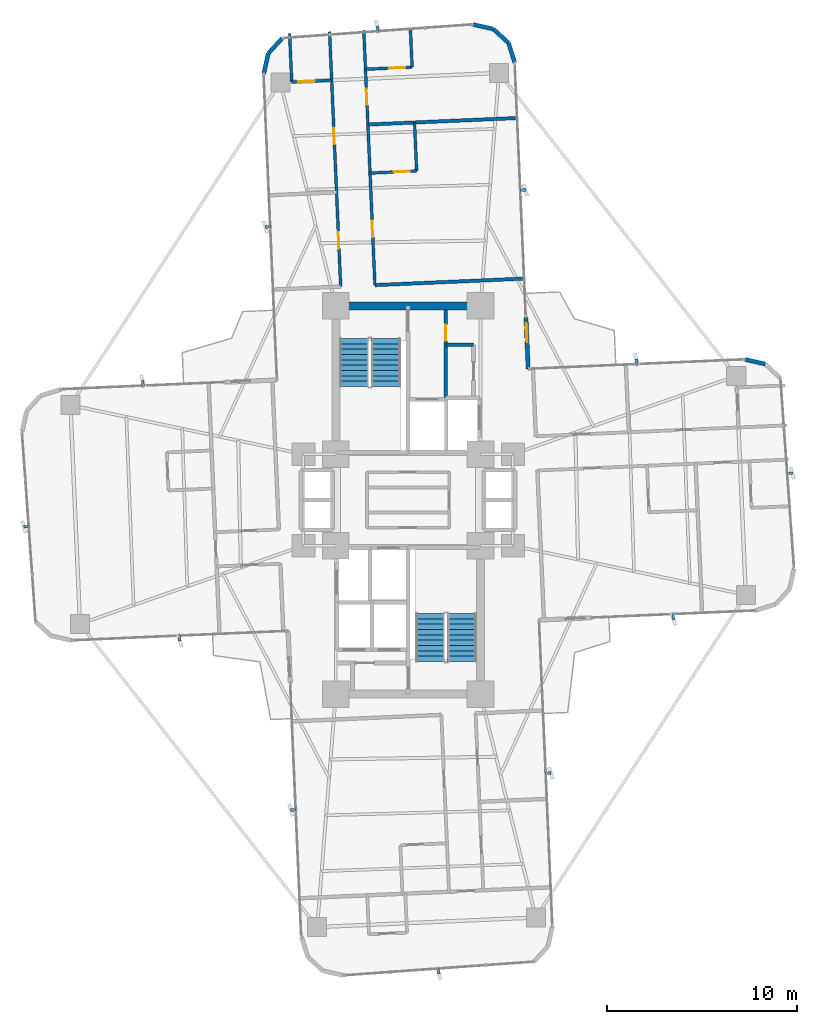
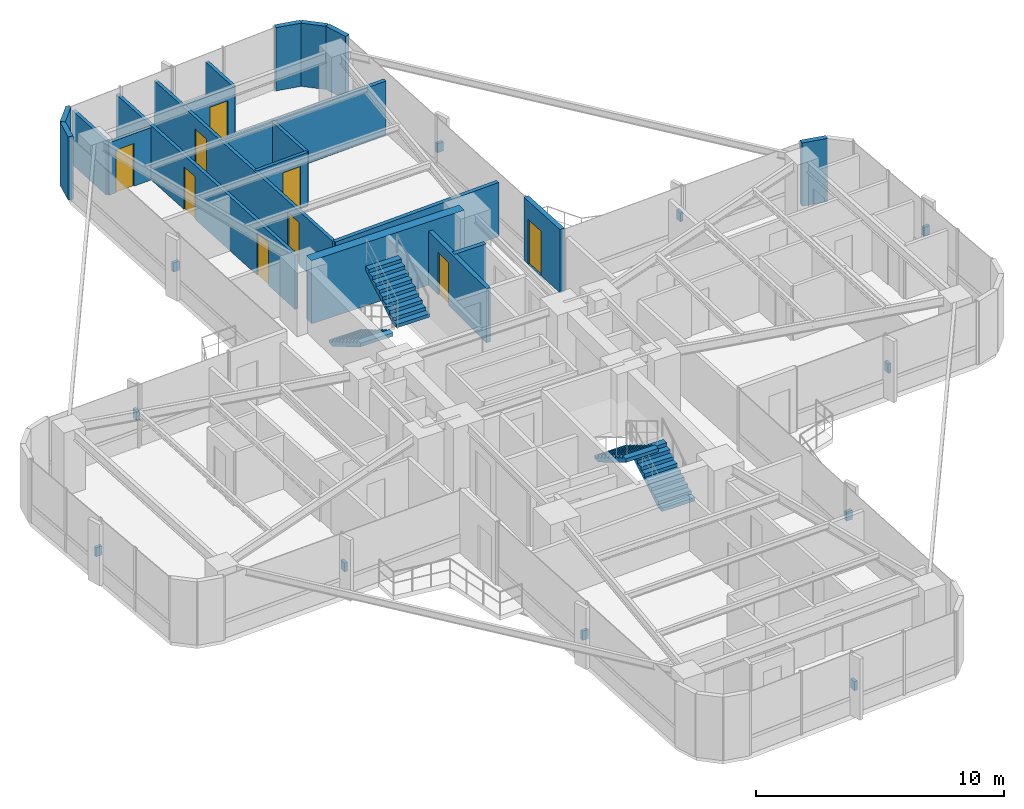
# One storey, part 25 of 26: 20 walls, 12 discrete accessories, 9 doors, 4 stair flights, 9 openings, 2 elements without a shape of their own.
"""IFC4 building model written with IfcOpenShell, lengths in metres."""

from ifc_helpers import new_model, si_unit, direction, frame, frame_2d, origin, origin_2d, place, context, subcontext, project, spatial, polyline, rectangle, outline, extrude, source, transform, mapped, material, layer, layer_set, type_object, element, fill, aggregate, save


model = new_model("IFC4")

# Units and contexts
model_context = context("Model", 3, precision=1e-05, world=origin(), true_north=direction((0.0, 1.0)))
body_context = subcontext(model_context, "Body", "Model", "MODEL_VIEW")
ifc_project = project(units=[si_unit("LENGTHUNIT", "METRE"), si_unit("AREAUNIT", "SQUARE_METRE"), si_unit("VOLUMEUNIT", "CUBIC_METRE"), si_unit("PLANEANGLEUNIT", "RADIAN"), si_unit("MASSUNIT", "GRAM", prefix="KILO")], contexts=[model_context])

# Site, building, storey
site_placement = place(None, origin())
site = spatial("IfcSite", under=ifc_project, at=site_placement, CompositionType="ELEMENT")
building_placement = place(site_placement, origin())
building = spatial("IfcBuilding", under=site, at=building_placement, Name="Sahyath Konkavel Grand Hotel", CompositionType="ELEMENT")
storey_placement = place(building_placement, frame((0.0, 0.0, 128.199951171875)))
storey = spatial("IfcBuildingStorey", under=building, at=storey_placement, Name="L35", CompositionType="ELEMENT", Elevation=128.199951171875)

# Walls
ifc_material_1 = material(Name="Concrete C50/60", Category="concrete")
ifc_layer_1 = layer(ifc_material_1, 0.419921875)
ifc_layer_set_1 = layer_set([ifc_layer_1], Name="Concrete C50/60")
wall_type_1 = type_object("IfcWallType", Name="CWALL-420", PredefinedType="SHEAR", material=ifc_layer_set_1)
wall_1_placement = place(storey_placement, frame((-3.550048828125, 10.199951171875, 0.0), z_axis=(0.0, 0.0, 1.0), x_axis=(1.0, 0.0, 0.0)))
element("IfcWall", 1, at=wall_1_placement, inside=storey, type_object=wall_type_1, Name="L35 North Core Shear Wall N", PredefinedType="SHEAR", context=body_context, shape_type="SweptSolid", body=[
    extrude(rectangle(XDim=7.10009765625, YDim=0.419921875, at=frame_2d((3.550048828125, 0.0))), origin(), (0.0, 0.0, 1.0), 3.110107421875),
])
ifc_material_2 = material(Name="Warm Buff Sandstone Insulated Concrete C40/50", Category="masonry")
ifc_layer_2 = layer(ifc_material_2, 0.219970703125)
ifc_layer_set_2 = layer_set([ifc_layer_2], Name="Warm Buff Sandstone Insulated Concrete C40/50")
wall_type_2 = type_object("IfcWallType", Name="WLL-BALC-THRESH", PredefinedType="STANDARD", material=ifc_layer_set_2)
wall_2_placement = place(storey_placement, frame((18.75634765625, 7.1435546875, 0.0), z_axis=(0.0, 0.0, 1.0), x_axis=(-0.976282085775, 0.216502399514, 0.0)))
element("IfcWall", 2, at=wall_2_placement, inside=storey, type_object=wall_type_2, Name="L35 Rounded Corner Sandstone Pier 6", PredefinedType="STANDARD", context=body_context, shape_type="SweptSolid", body=[
    extrude(rectangle(XDim=1.087158203125, YDim=0.219970703125, at=frame_2d((0.54345703125, 0.0))), origin(), (0.0, 0.0, 1.0), 3.110107421875),
])

# Wall, opening, door
wall_3_placement = place(storey_placement, frame((6.305908203125, 6.881591796875, 0.0), z_axis=(0.0, 0.0, 1.0), x_axis=(-0.043672655174, 0.999045894436, 0.0)))
wall_3 = element("IfcWall", 3, at=wall_3_placement, inside=storey, type_object=wall_type_2, Name="L35 Winter-Garden Threshold Wall 8", PredefinedType="STANDARD", context=body_context, shape_type="SweptSolid", body=[
    extrude(rectangle(XDim=2.7001953125, YDim=0.219970703125, at=frame_2d((1.35009765625, 0.0))), origin(), (0.0, 0.0, 1.0), 3.110107421875),
])
opening_1_placement = place(wall_3_placement, frame((1.39990234375, 0.0, 0.0)))
opening_1 = element("IfcOpeningElement", 4, at=opening_1_placement, cuts=wall_3, Name="Opening D-TR1", PredefinedType="OPENING", context=body_context, shape_type="SweptSolid", body=[
    extrude(rectangle(XDim=1.0, YDim=2.199951171875, at=frame_2d((0.5, 1.10009765625))), frame((0.0, 0.1201171875, 0.0), z_axis=(0.0, -1.0, 0.0), x_axis=(1.0, 0.0, 0.0)), (0.0, 0.0, 1.0), 0.239990234375),
])
ifc_material_3 = material(Name="Anodised Bronze Aluminium & Low-E Glazing", Category="aluminium")
door_type_1 = type_object("IfcDoorType", Name="DR-TERRACE-1000", OperationType="NOTDEFINED", PredefinedType="DOOR", material=ifc_material_3)
shared_shape_1 = source(origin(), body_context, "Body", "SweptSolid", [
    extrude(rectangle(XDim=1.0, YDim=0.050048828125, at=origin_2d()), origin(), (0.0, 0.0, 1.0), 2.199951171875),
])
door_1_placement = place(opening_1_placement, frame((0.5, 0.0, 0.0)))
door_1 = element("IfcDoor", 5, at=door_1_placement, inside=storey, type_object=door_type_1, Name="L35 Winter-Garden Terrace Door 8", OperationType="SINGLE_SWING_LEFT", OverallHeight=2.199951171875, OverallWidth=1.0, PredefinedType="DOOR", context=body_context, shape_type="MappedRepresentation", body=[
    mapped(shared_shape_1, transform((0.0, 0.0, 0.0), scale=1.0)),
])
fill(opening_1, door_1)

# Walls
wall_4_placement = place(storey_placement, frame((5.603515625, 22.96630859375, 0.0), z_axis=(0.0, 0.0, 1.0), x_axis=(-0.300755105707, 0.953701403161, 0.0)))
element("IfcWall", 6, at=wall_4_placement, inside=storey, type_object=wall_type_2, Name="L35 Rounded Corner Sandstone Pier 9", PredefinedType="STANDARD", context=body_context, shape_type="SweptSolid", body=[
    extrude(rectangle(XDim=1.0869140625, YDim=0.219970703125, at=frame_2d((0.54345703125, 0.0))), origin(), (0.0, 0.0, 1.0), 3.110107421875),
])
wall_5_placement = place(storey_placement, frame((5.276611328125, 24.0029296875, 0.0), z_axis=(0.0, 0.0, 1.0), x_axis=(-0.737312600672, 0.675551721847, 0.0)))
element("IfcWall", 7, at=wall_5_placement, inside=storey, type_object=wall_type_2, Name="L35 Rounded Corner Sandstone Pier 10", PredefinedType="STANDARD", context=body_context, shape_type="SweptSolid", body=[
    extrude(rectangle(XDim=1.087158203125, YDim=0.219970703125, at=frame_2d((0.54345703125, 0.0))), origin(), (0.0, 0.0, 1.0), 3.110107421875),
])
for number, where, z_axis, x_axis, name in (
    (8, (4.47509765625, 24.7373046875, 0.0), (0.0, 0.0, 1.0), (-0.976271555154, 0.216549880158, 0.0), "L35 Rounded Corner Sandstone Pier 11"),
    (9, (-6.6142578125, 24.253173828125, 0.0), (0.0, 0.0, 1.0), (-0.675663596772, -0.737210081318, 0.0), "L35 Rounded Corner Sandstone Pier 13"),
):
    element("IfcWall", number, at=place(storey_placement, frame(where, z_axis=z_axis, x_axis=x_axis)), inside=storey, type_object=wall_type_2, Name=name, PredefinedType="STANDARD", context=body_context, shape_type="SweptSolid", body=[
        extrude(rectangle(XDim=1.0869140625, YDim=0.219970703125, at=frame_2d((0.54345703125, 0.0))), origin(), (0.0, 0.0, 1.0), 3.110107421875),
    ])
wall_6_placement = place(storey_placement, frame((-7.3486328125, 23.451904296875, 0.0), z_axis=(0.0, 0.0, 1.0), x_axis=(-0.216454939174, -0.976292609471, 0.0)))
element("IfcWall", 10, at=wall_6_placement, inside=storey, type_object=wall_type_2, Name="L35 Rounded Corner Sandstone Pier 14", PredefinedType="STANDARD", context=body_context, shape_type="SweptSolid", body=[
    extrude(rectangle(XDim=1.08740234375, YDim=0.219970703125, at=frame_2d((0.543701171875, 0.0))), origin(), (0.0, 0.0, 1.0), 3.110107421875),
])

# Wall, opening, door
ifc_material_4 = material(Name="Concrete C40/50", Category="concrete")
ifc_layer_3 = layer(ifc_material_4, 0.199951171875)
ifc_layer_set_3 = layer_set([ifc_layer_3], Name="Concrete C40/50")
wall_type_3 = type_object("IfcWallType", Name="WLL-CORE-200", PredefinedType="SOLIDWALL", material=ifc_layer_set_3)
wall_7_placement = place(storey_placement, frame((1.97998046875, 5.320068359375, 0.0), z_axis=(0.0, 0.0, 1.0), x_axis=(0.0, 1.0, 0.0)))
wall_7 = element("IfcWall", 11, at=wall_7_placement, inside=storey, type_object=wall_type_3, Name="L35 North Firefighting Lobby Wall E", PredefinedType="SOLIDWALL", context=body_context, shape_type="SweptSolid", body=[
    extrude(rectangle(XDim=4.659912109375, YDim=0.199951171875, at=frame_2d((2.330078125, 0.0))), origin(), (0.0, 0.0, 1.0), 2.66015625),
])
opening_2_placement = place(wall_7_placement, frame((3.0400390625, 0.0, 0.0)))
opening_2 = element("IfcOpeningElement", 12, at=opening_2_placement, cuts=wall_7, Name="Opening D-F12D", PredefinedType="OPENING", context=body_context, shape_type="SweptSolid", body=[
    extrude(rectangle(XDim=0.85009765625, YDim=2.10009765625, at=frame_2d((0.425048828125, 1.050048828125))), frame((0.0, 0.10986328125, 0.0), z_axis=(0.0, -1.0, 0.0), x_axis=(1.0, 0.0, 0.0)), (0.0, 0.0, 1.0), 0.219970703125),
])
ifc_material_5 = material(Name="Steel E350 Core Fire Door", Category="steel")
door_type_2 = type_object("IfcDoorType", Name="DR-FD120-850", OperationType="NOTDEFINED", PredefinedType="DOOR", material=ifc_material_5)
shared_shape_2 = source(origin(), body_context, "Body", "SweptSolid", [
    extrude(rectangle(XDim=0.85009765625, YDim=0.050048828125, at=origin_2d()), origin(), (0.0, 0.0, 1.0), 2.10009765625),
])
door_2_placement = place(opening_2_placement, frame((0.425048828125, 0.0, 0.0)))
door_2 = element("IfcDoor", 13, at=door_2_placement, inside=storey, type_object=door_type_2, Name="L35 North Firefighting Lobby Door", OperationType="SINGLE_SWING_LEFT", OverallHeight=2.10009765625, OverallWidth=0.85009765625, PredefinedType="DOOR", context=body_context, shape_type="MappedRepresentation", body=[
    mapped(shared_shape_2, transform((0.0, 0.0, 0.0), scale=1.0)),
])
fill(opening_2, door_2)

# Walls
wall_8_placement = place(storey_placement, frame((1.97998046875, 8.14990234375, 0.0), z_axis=(0.0, 0.0, 1.0), x_axis=(1.0, 0.0, 0.0)))
element("IfcWall", 14, at=wall_8_placement, inside=storey, type_object=wall_type_3, Name="L35 Partition NC-REC-N", PredefinedType="SOLIDWALL", context=body_context, shape_type="SweptSolid", body=[
    extrude(rectangle(XDim=1.4599609375, YDim=0.199951171875, at=frame_2d((0.72998046875, 0.0))), origin(), (0.0, 0.0, 1.0), 2.66015625),
])
ifc_material_6 = material(Name="Twin-Stud Acoustic Gypsum Plasterboard Partition")
ifc_layer_4 = layer(ifc_material_6, 0.179931640625)
ifc_layer_set_4 = layer_set([ifc_layer_4], Name="Twin-Stud Acoustic Gypsum Plasterboard Partition")
wall_type_4 = type_object("IfcWallType", Name="WLL-DEMISE-180", PredefinedType="PARTITIONING", material=ifc_layer_set_4)
for number, where, z_axis, x_axis, name in (
    (15, (6.048583984375, 11.625, 0.0), (0.0, 0.0, 1.0), (-0.999047634936, -0.043632821702, 0.0), "L35 Partition N-INR"),
    (16, (-2.112060546875, 19.718505859375, 0.0), (0.0, 0.0, 1.0), (0.999047634936, 0.043632821702, 0.0), "L35 Partition N-N1R-DEM"),
):
    element("IfcWall", number, at=place(storey_placement, frame(where, z_axis=z_axis, x_axis=x_axis)), inside=storey, type_object=wall_type_4, Name=name, PredefinedType="PARTITIONING", context=body_context, shape_type="SweptSolid", body=[
        extrude(rectangle(XDim=7.7998046875, YDim=0.179931640625, at=frame_2d((3.89990234375, 0.0))), origin(), (0.0, 0.0, 1.0), 2.66015625),
    ])

# Wall, openings, doors
ifc_material_7 = material(Name="Fire-Rated Gypsum Plasterboard Partition")
ifc_layer_5 = layer(ifc_material_7, 0.14990234375)
ifc_layer_set_5 = layer_set([ifc_layer_5], Name="Fire-Rated Gypsum Plasterboard Partition")
wall_type_5 = type_object("IfcWallType", Name="WLL-PART-150", PredefinedType="PARTITIONING", material=ifc_layer_set_5)
wall_9_placement = place(storey_placement, frame((-3.542236328125, 11.206298828125, 0.0), z_axis=(0.0, 0.0, 1.0), x_axis=(-0.043617493533, 0.999048304267, 0.0)))
wall_9 = element("IfcWall", 17, at=wall_9_placement, inside=storey, type_object=wall_type_5, Name="L35 Partition N-CL", PredefinedType="PARTITIONING", context=body_context, shape_type="SweptSolid", body=[
    extrude(rectangle(XDim=13.39990234375, YDim=0.14990234375, at=frame_2d((6.699951171875, 0.0))), origin(), (0.0, 0.0, 1.0), 2.66015625),
])
opening_3_placement = place(wall_9_placement, frame((2.00390625, 0.0, 0.0)))
opening_3 = element("IfcOpeningElement", 18, at=opening_3_placement, cuts=wall_9, Name="Opening D-F06D", PredefinedType="OPENING", context=body_context, shape_type="SweptSolid", body=[
    extrude(rectangle(XDim=0.85009765625, YDim=2.10009765625, at=frame_2d((0.425048828125, 1.050048828125))), frame((0.0, 0.0849609375, 0.0), z_axis=(0.0, -1.0, 0.0), x_axis=(1.0, 0.0, 0.0)), (0.0, 0.0, 1.0), 0.169921875),
])
opening_4_placement = place(wall_9_placement, frame((7.47900390625, 0.0, 0.0)))
opening_4 = element("IfcOpeningElement", 19, at=opening_4_placement, cuts=wall_9, Name="Opening D-F06D", PredefinedType="OPENING", context=body_context, shape_type="SweptSolid", body=[
    extrude(rectangle(XDim=0.85009765625, YDim=2.10009765625, at=frame_2d((0.425048828125, 1.050048828125))), frame((0.0, 0.0849609375, 0.0), z_axis=(0.0, -1.0, 0.0), x_axis=(1.0, 0.0, 0.0)), (0.0, 0.0, 1.0), 0.169921875),
])
ifc_material_8 = material(Name="Fire-Rated Shaft Access Door")
door_type_3 = type_object("IfcDoorType", Name="DR-FD60-850", OperationType="NOTDEFINED", PredefinedType="DOOR", material=ifc_material_8)
door_3_placement = place(opening_3_placement, frame((0.425048828125, 0.0, 0.0)))
door_3 = element("IfcDoor", 20, at=door_3_placement, inside=storey, type_object=door_type_3, Name="L35 Door N-N1L-D", OperationType="SINGLE_SWING_LEFT", OverallHeight=2.10009765625, OverallWidth=0.85009765625, PredefinedType="DOOR", context=body_context, shape_type="MappedRepresentation", body=[
    mapped(shared_shape_2, transform((0.0, 0.0, 0.0), scale=1.0)),
])
fill(opening_3, door_3)
door_4_placement = place(opening_4_placement, frame((0.425048828125, 0.0, 0.0)))
door_4 = element("IfcDoor", 21, at=door_4_placement, inside=storey, type_object=door_type_3, Name="L35 Door N-N2L-ED", OperationType="SINGLE_SWING_LEFT", OverallHeight=2.10009765625, OverallWidth=0.85009765625, PredefinedType="DOOR", context=body_context, shape_type="MappedRepresentation", body=[
    mapped(shared_shape_2, transform((0.0, 0.0, 0.0), scale=1.0)),
])
fill(opening_4, door_4)

wall_10_placement = place(storey_placement, frame((-1.743896484375, 11.28466796875, 0.0), z_axis=(0.0, 0.0, 1.0), x_axis=(-0.043617493533, 0.999048304267, 0.0)))
wall_10 = element("IfcWall", 22, at=wall_10_placement, inside=storey, type_object=wall_type_5, Name="L35 Partition N-CR", PredefinedType="PARTITIONING", context=body_context, shape_type="SweptSolid", body=[
    extrude(rectangle(XDim=13.39990234375, YDim=0.14990234375, at=frame_2d((6.699951171875, 0.0))), origin(), (0.0, 0.0, 1.0), 2.66015625),
])
opening_5_placement = place(wall_10_placement, frame((2.52099609375, 0.0, 0.0)))
opening_5 = element("IfcOpeningElement", 23, at=opening_5_placement, cuts=wall_10, Name="Opening D-F06D", PredefinedType="OPENING", context=body_context, shape_type="SweptSolid", body=[
    extrude(rectangle(XDim=0.85009765625, YDim=2.10009765625, at=frame_2d((0.425048828125, 1.050048828125))), frame((0.0, 0.0849609375, 0.0), z_axis=(0.0, -1.0, 0.0), x_axis=(1.0, 0.0, 0.0)), (0.0, 0.0, 1.0), 0.169921875),
])
opening_6_placement = place(wall_10_placement, frame((9.470947265625, 0.0, 0.0)))
opening_6 = element("IfcOpeningElement", 24, at=opening_6_placement, cuts=wall_10, Name="Opening D-F06D", PredefinedType="OPENING", context=body_context, shape_type="SweptSolid", body=[
    extrude(rectangle(XDim=0.85009765625, YDim=2.10009765625, at=frame_2d((0.425048828125, 1.050048828125))), frame((0.0, 0.0849609375, 0.0), z_axis=(0.0, -1.0, 0.0), x_axis=(1.0, 0.0, 0.0)), (0.0, 0.0, 1.0), 0.169921875),
])
door_5_placement = place(opening_5_placement, frame((0.425048828125, 0.0, 0.0)))
door_5 = element("IfcDoor", 25, at=door_5_placement, inside=storey, type_object=door_type_3, Name="L35 Door N-N1R-ED", OperationType="SINGLE_SWING_LEFT", OverallHeight=2.10009765625, OverallWidth=0.85009765625, PredefinedType="DOOR", context=body_context, shape_type="MappedRepresentation", body=[
    mapped(shared_shape_2, transform((0.0, 0.0, 0.0), scale=1.0)),
])
fill(opening_5, door_5)
door_6_placement = place(opening_6_placement, frame((0.425048828125, 0.0, 0.0)))
door_6 = element("IfcDoor", 26, at=door_6_placement, inside=storey, type_object=door_type_3, Name="L35 Door N-N2R-ED", OperationType="SINGLE_SWING_LEFT", OverallHeight=2.10009765625, OverallWidth=0.85009765625, PredefinedType="DOOR", context=body_context, shape_type="MappedRepresentation", body=[
    mapped(shared_shape_2, transform((0.0, 0.0, 0.0), scale=1.0)),
])
fill(opening_6, door_6)

# Wall, opening, door
wall_11_placement = place(storey_placement, frame((-4.015380859375, 22.0458984375, 0.0), z_axis=(0.0, 0.0, 1.0), x_axis=(-0.999044054836, -0.043714717167, 0.0)))
wall_11 = element("IfcWall", 27, at=wall_11_placement, inside=storey, type_object=wall_type_5, Name="L35 Partition N-N2L-BS", PredefinedType="PARTITIONING", context=body_context, shape_type="SweptSolid", body=[
    extrude(rectangle(XDim=2.099853515625, YDim=0.14990234375, at=frame_2d((1.0498046875, 0.0))), origin(), (0.0, 0.0, 1.0), 2.580078125),
])
opening_7_placement = place(wall_11_placement, frame((0.89990234375, 0.0, 0.0)))
opening_7 = element("IfcOpeningElement", 28, at=opening_7_placement, cuts=wall_11, Name="Opening D-BT85", PredefinedType="OPENING", context=body_context, shape_type="SweptSolid", body=[
    extrude(rectangle(XDim=0.85009765625, YDim=2.10009765625, at=frame_2d((0.425048828125, 1.050048828125))), frame((0.0, 0.0849609375, 0.0), z_axis=(0.0, -1.0, 0.0), x_axis=(1.0, 0.0, 0.0)), (0.0, 0.0, 1.0), 0.169921875),
])
ifc_material_9 = material(Name="Moisture-Resistant Teak Bathroom Door")
door_type_4 = type_object("IfcDoorType", Name="DR-BATH-850", OperationType="NOTDEFINED", PredefinedType="DOOR", material=ifc_material_9)
door_7_placement = place(opening_7_placement, frame((0.425048828125, 0.0, 0.0)))
door_7 = element("IfcDoor", 29, at=door_7_placement, inside=storey, type_object=door_type_4, Name="L35 Door N-N2L-BD", OperationType="SINGLE_SWING_RIGHT", OverallHeight=2.10009765625, OverallWidth=0.85009765625, PredefinedType="DOOR", context=body_context, shape_type="MappedRepresentation", body=[
    mapped(shared_shape_2, transform((0.0, 0.0, 0.0), scale=1.0)),
])
fill(opening_7, door_7)

# Wall
wall_12_placement = place(storey_placement, frame((-6.11328125, 21.9541015625, 0.0), z_axis=(0.0, 0.0, 1.0), x_axis=(-0.043657425146, 0.999046560091, 0.0)))
element("IfcWall", 30, at=wall_12_placement, inside=storey, type_object=wall_type_5, Name="L35 Partition N-N2L-BF", PredefinedType="PARTITIONING", context=body_context, shape_type="SweptSolid", body=[
    extrude(rectangle(XDim=2.550048828125, YDim=0.14990234375, at=frame_2d((1.27490234375, 0.0))), origin(), (0.0, 0.0, 1.0), 2.66015625),
])

# Wall, opening, door
wall_13_placement = place(storey_placement, frame((-2.0009765625, 17.171142578125, 0.0), z_axis=(0.0, 0.0, 1.0), x_axis=(0.99905145222, 0.043545330602, 0.0)))
wall_13 = element("IfcWall", 31, at=wall_13_placement, inside=storey, type_object=wall_type_5, Name="L35 Partition N-N1R-BS", PredefinedType="PARTITIONING", context=body_context, shape_type="SweptSolid", body=[
    extrude(rectangle(XDim=2.4501953125, YDim=0.14990234375, at=frame_2d((1.22509765625, 0.0))), origin(), (0.0, 0.0, 1.0), 2.66015625),
])
opening_8_placement = place(wall_13_placement, frame((1.25, 0.0, 0.0)))
opening_8 = element("IfcOpeningElement", 32, at=opening_8_placement, cuts=wall_13, Name="Opening D-BT85", PredefinedType="OPENING", context=body_context, shape_type="SweptSolid", body=[
    extrude(rectangle(XDim=0.85009765625, YDim=2.10009765625, at=frame_2d((0.425048828125, 1.050048828125))), frame((0.0, 0.0849609375, 0.0), z_axis=(0.0, -1.0, 0.0), x_axis=(1.0, 0.0, 0.0)), (0.0, 0.0, 1.0), 0.169921875),
])
door_8_placement = place(opening_8_placement, frame((0.425048828125, 0.0, 0.0)))
door_8 = element("IfcDoor", 33, at=door_8_placement, inside=storey, type_object=door_type_4, Name="L35 Door N-N1R-BD", OperationType="SINGLE_SWING_RIGHT", OverallHeight=2.10009765625, OverallWidth=0.85009765625, PredefinedType="DOOR", context=body_context, shape_type="MappedRepresentation", body=[
    mapped(shared_shape_2, transform((0.0, 0.0, 0.0), scale=1.0)),
])
fill(opening_8, door_8)

# Wall
wall_14_placement = place(storey_placement, frame((0.44677734375, 17.27783203125, 0.0), z_axis=(0.0, 0.0, 1.0), x_axis=(-0.043657425146, 0.999046560091, 0.0)))
element("IfcWall", 34, at=wall_14_placement, inside=storey, type_object=wall_type_5, Name="L35 Partition N-N1R-BF", PredefinedType="PARTITIONING", context=body_context, shape_type="SweptSolid", body=[
    extrude(rectangle(XDim=2.550048828125, YDim=0.14990234375, at=frame_2d((1.27490234375, 0.0))), origin(), (0.0, 0.0, 1.0), 2.66015625),
])

# Wall, opening, door
wall_15_placement = place(storey_placement, frame((-2.239013671875, 22.623779296875, 0.0), z_axis=(0.0, 0.0, 1.0), x_axis=(0.999047112283, 0.043644787072, 0.0)))
wall_15 = element("IfcWall", 35, at=wall_15_placement, inside=storey, type_object=wall_type_5, Name="L35 Partition N-N2R-BS", PredefinedType="PARTITIONING", context=body_context, shape_type="SweptSolid", body=[
    extrude(rectangle(XDim=2.4501953125, YDim=0.14990234375, at=frame_2d((1.22509765625, 0.0))), origin(), (0.0, 0.0, 1.0), 2.66015625),
])
opening_9_placement = place(wall_15_placement, frame((1.25, 0.0, 0.0)))
opening_9 = element("IfcOpeningElement", 36, at=opening_9_placement, cuts=wall_15, Name="Opening D-BT85", PredefinedType="OPENING", context=body_context, shape_type="SweptSolid", body=[
    extrude(rectangle(XDim=0.85009765625, YDim=2.10009765625, at=frame_2d((0.425048828125, 1.050048828125))), frame((0.0, 0.0849609375, 0.0), z_axis=(0.0, -1.0, 0.0), x_axis=(1.0, 0.0, 0.0)), (0.0, 0.0, 1.0), 0.169921875),
])
door_9_placement = place(opening_9_placement, frame((0.425048828125, 0.0, 0.0)))
door_9 = element("IfcDoor", 37, at=door_9_placement, inside=storey, type_object=door_type_4, Name="L35 Door N-N2R-BD", OperationType="SINGLE_SWING_RIGHT", OverallHeight=2.10009765625, OverallWidth=0.85009765625, PredefinedType="DOOR", context=body_context, shape_type="MappedRepresentation", body=[
    mapped(shared_shape_2, transform((0.0, 0.0, 0.0), scale=1.0)),
])
fill(opening_9, door_9)

# Wall
wall_16_placement = place(storey_placement, frame((0.208740234375, 22.730712890625, 0.0), z_axis=(0.0, 0.0, 1.0), x_axis=(-0.043587097972, 0.999049630844, 0.0)))
element("IfcWall", 38, at=wall_16_placement, inside=storey, type_object=wall_type_5, Name="L35 Partition N-N2R-BF", PredefinedType="PARTITIONING", context=body_context, shape_type="SweptSolid", body=[
    extrude(rectangle(XDim=2.050048828125, YDim=0.14990234375, at=frame_2d((1.02490234375, 0.0))), origin(), (0.0, 0.0, 1.0), 2.66015625),
])

# Stair, stair flights
stair_type = type_object("IfcStairType", Name="STR-ST16-335", PredefinedType="HALF_TURN_STAIR", material=ifc_material_4)
stair_1_placement = place(storey_placement, origin())
stair_1 = element("IfcStair", 39, at=stair_1_placement, inside=storey, type_object=stair_type, Name="L35 North Core Smokeproof Exit Stair ST-1", PredefinedType="HALF_TURN_STAIR")
stair_flight_type = type_object("IfcStairFlightType", Name="STF-ST16-335", PredefinedType="STRAIGHT", material=ifc_material_4)
stair_flight_1_placement = place(storey_placement, frame((-2.840087890625, 8.47998046875, 0.0), z_axis=(0.0, 0.0, 1.0), x_axis=(0.0, -1.0, 0.0)))
stair_flight_1 = element("IfcStairFlight", 40, at=stair_flight_1_placement, type_object=stair_flight_type, Name="ST-1 flight 1", NumberOfRisers=10, NumberOfTreads=9, PredefinedType="STRAIGHT", RiserHeight=0.1675, TreadLength=0.28, context=body_context, shape_type="SweptSolid", body=[
    extrude(outline(polyline([(0.0, 0.0), (0.0, 0.16748046875), (0.280029296875, 0.16748046875), (0.280029296875, 0.3349609375), (0.56005859375, 0.3349609375), (0.56005859375, 0.50244140625), (0.840087890625, 0.50244140625), (0.840087890625, 0.669921875), (1.1201171875, 0.669921875), (1.1201171875, 0.83740234375), (1.39990234375, 0.83740234375), (1.39990234375, 1.0048828125), (1.679931640625, 1.0048828125), (1.679931640625, 1.172607421875), (1.9599609375, 1.172607421875), (1.9599609375, 1.340087890625), (2.239990234375, 1.340087890625), (2.239990234375, 1.507568359375), (2.52001953125, 1.507568359375), (2.52001953125, 1.675048828125), (2.52001953125, 1.332763671875), (0.2919921875, 0.0), (0.0, 0.0)])), frame((0.0, 0.760009765625, 0.0), z_axis=(0.0, -1.0, 0.0), x_axis=(1.0, 0.0, 0.0)), (0.0, 0.0, 1.0), 1.52001953125),
])
stair_flight_2_placement = place(storey_placement, frame((-1.159912109375, 5.9599609375, 1.675048828125), z_axis=(0.0, 0.0, 1.0), x_axis=(0.0, 1.0, 0.0)))
stair_flight_2 = element("IfcStairFlight", 41, at=stair_flight_2_placement, type_object=stair_flight_type, Name="ST-1 flight 2", NumberOfRisers=10, NumberOfTreads=9, PredefinedType="STRAIGHT", RiserHeight=0.1675, TreadLength=0.28, context=body_context, shape_type="SweptSolid", body=[
    extrude(outline(polyline([(0.0, 0.0), (0.0, 0.16748046875), (0.280029296875, 0.16748046875), (0.280029296875, 0.3349609375), (0.56005859375, 0.3349609375), (0.56005859375, 0.50244140625), (0.840087890625, 0.50244140625), (0.840087890625, 0.669921875), (1.1201171875, 0.669921875), (1.1201171875, 0.83740234375), (1.39990234375, 0.83740234375), (1.39990234375, 1.0048828125), (1.679931640625, 1.0048828125), (1.679931640625, 1.172607421875), (1.9599609375, 1.172607421875), (1.9599609375, 1.340087890625), (2.239990234375, 1.340087890625), (2.239990234375, 1.507568359375), (2.52001953125, 1.507568359375), (2.52001953125, 1.675048828125), (2.52001953125, 1.332763671875), (0.2919921875, 0.0), (0.0, 0.0)])), frame((0.0, 0.760009765625, 0.0), z_axis=(0.0, -1.0, 0.0), x_axis=(1.0, 0.0, 0.0)), (0.0, 0.0, 1.0), 1.52001953125),
])
aggregate(stair_1, [stair_flight_1, stair_flight_2])

stair_2_placement = place(storey_placement, origin())
stair_2 = element("IfcStair", 42, at=stair_2_placement, inside=storey, type_object=stair_type, Name="L35 South Core Smokeproof Exit Stair ST-2", PredefinedType="HALF_TURN_STAIR")
stair_flight_3_placement = place(storey_placement, frame((2.840087890625, -8.47998046875, 0.0), z_axis=(0.0, 0.0, 1.0), x_axis=(0.0, 1.0, 0.0)))
stair_flight_3 = element("IfcStairFlight", 43, at=stair_flight_3_placement, type_object=stair_flight_type, Name="ST-2 flight 1", NumberOfRisers=10, NumberOfTreads=9, PredefinedType="STRAIGHT", RiserHeight=0.1675, TreadLength=0.28, context=body_context, shape_type="SweptSolid", body=[
    extrude(outline(polyline([(0.0, 0.0), (0.0, 0.16748046875), (0.280029296875, 0.16748046875), (0.280029296875, 0.3349609375), (0.56005859375, 0.3349609375), (0.56005859375, 0.50244140625), (0.840087890625, 0.50244140625), (0.840087890625, 0.669921875), (1.1201171875, 0.669921875), (1.1201171875, 0.83740234375), (1.39990234375, 0.83740234375), (1.39990234375, 1.0048828125), (1.679931640625, 1.0048828125), (1.679931640625, 1.172607421875), (1.9599609375, 1.172607421875), (1.9599609375, 1.340087890625), (2.239990234375, 1.340087890625), (2.239990234375, 1.507568359375), (2.52001953125, 1.507568359375), (2.52001953125, 1.675048828125), (2.52001953125, 1.332763671875), (0.2919921875, 0.0), (0.0, 0.0)])), frame((0.0, 0.760009765625, 0.0), z_axis=(0.0, -1.0, 0.0), x_axis=(1.0, 0.0, 0.0)), (0.0, 0.0, 1.0), 1.52001953125),
])
stair_flight_4_placement = place(storey_placement, frame((1.159912109375, -5.9599609375, 1.675048828125), z_axis=(0.0, 0.0, 1.0), x_axis=(0.0, -1.0, 0.0)))
stair_flight_4 = element("IfcStairFlight", 44, at=stair_flight_4_placement, type_object=stair_flight_type, Name="ST-2 flight 2", NumberOfRisers=10, NumberOfTreads=9, PredefinedType="STRAIGHT", RiserHeight=0.1675, TreadLength=0.28, context=body_context, shape_type="SweptSolid", body=[
    extrude(outline(polyline([(0.0, 0.0), (0.0, 0.16748046875), (0.280029296875, 0.16748046875), (0.280029296875, 0.3349609375), (0.56005859375, 0.3349609375), (0.56005859375, 0.50244140625), (0.840087890625, 0.50244140625), (0.840087890625, 0.669921875), (1.1201171875, 0.669921875), (1.1201171875, 0.83740234375), (1.39990234375, 0.83740234375), (1.39990234375, 1.0048828125), (1.679931640625, 1.0048828125), (1.679931640625, 1.172607421875), (1.9599609375, 1.172607421875), (1.9599609375, 1.340087890625), (2.239990234375, 1.340087890625), (2.239990234375, 1.507568359375), (2.52001953125, 1.507568359375), (2.52001953125, 1.675048828125), (2.52001953125, 1.332763671875), (0.2919921875, 0.0), (0.0, 0.0)])), frame((0.0, 0.760009765625, 0.0), z_axis=(0.0, -1.0, 0.0), x_axis=(1.0, 0.0, 0.0)), (0.0, 0.0, 1.0), 1.52001953125),
])
aggregate(stair_2, [stair_flight_3, stair_flight_4])

# Discrete accessories
ifc_material_10 = material(Name="Steel E350", Category="steel")
discrete_accessory_type = type_object("IfcDiscreteAccessoryType", Name="ACC-FIN-BRACKET", PredefinedType="BRACKET", material=ifc_material_10)
shared_shape_3 = source(origin(), body_context, "Body", "SweptSolid", [
    extrude(rectangle(XDim=0.280029296875, YDim=0.139892578125, at=origin_2d()), origin(), (0.0, 0.0, 1.0), 0.449951171875),
])
for number, where, z_axis, x_axis, name in (
    (45, (13.9306640625, -6.128173828125, 1.330078125), (0.0, 0.0, 1.0), (0.043601950678, -0.999048982732, 0.0), "L35 Fin Support Bracket F0-1"),
    (46, (20.047119140625, 1.404296875, 1.330078125), (0.0, 0.0, 1.0), (0.997435789037, 0.071567078661, 0.0), "L35 Fin Support Bracket F4-2"),
    (47, (11.99462890625, 7.26025390625, 1.330078125), (0.0, 0.0, 1.0), (-0.043619387365, 0.999048221582, 0.0), "L35 Fin Support Bracket F7-1"),
    (48, (6.025634765625, 16.2783203125, 1.330078125), (0.0, 0.0, 1.0), (0.999048221582, 0.043619387365, 0.0), "L35 Fin Support Bracket F8-1"),
    (49, (-1.609375, 24.74267578125, 1.330078125), (0.0, 0.0, 1.0), (-0.071567078661, 0.997435789037, 0.0), "L35 Fin Support Bracket F12-2"),
    (50, (-7.362548828125, 14.342529296875, 1.330078125), (0.0, 0.0, 1.0), (-0.999048221582, -0.043619387365, 0.0), "L35 Fin Support Bracket F15-1"),
    (51, (-13.9306640625, 6.128173828125, 1.330078125), (0.0, 0.0, 1.0), (-0.043601950678, 0.999048982732, 0.0), "L35 Fin Support Bracket F16-1"),
    (52, (-20.047119140625, -1.404296875, 1.330078125), (0.0, 0.0, 1.0), (-0.997435789037, -0.071567078661, 0.0), "L35 Fin Support Bracket F20-2"),
    (53, (-11.99462890625, -7.26025390625, 1.330078125), (0.0, 0.0, 1.0), (0.043619387365, -0.999048221582, 0.0), "L35 Fin Support Bracket F23-1"),
    (54, (-6.025634765625, -16.2783203125, 1.330078125), (0.0, 0.0, 1.0), (-0.999048221582, -0.043619387365, 0.0), "L35 Fin Support Bracket F24-1"),
    (55, (1.609375, -24.74267578125, 1.330078125), (0.0, 0.0, 1.0), (0.071567078661, -0.997435789037, 0.0), "L35 Fin Support Bracket F28-2"),
    (56, (7.362548828125, -14.342529296875, 1.330078125), (0.0, 0.0, 1.0), (0.999048221582, 0.043619387365, 0.0), "L35 Fin Support Bracket F31-1"),
):
    element("IfcDiscreteAccessory", number, at=place(storey_placement, frame(where, z_axis=z_axis, x_axis=x_axis)), inside=storey, type_object=discrete_accessory_type, Name=name, PredefinedType="BRACKET", context=body_context, shape_type="MappedRepresentation", body=[
        mapped(shared_shape_3, transform((0.0, 0.0, 0.0), scale=1.0)),
    ])

save(model, "model.ifc")
